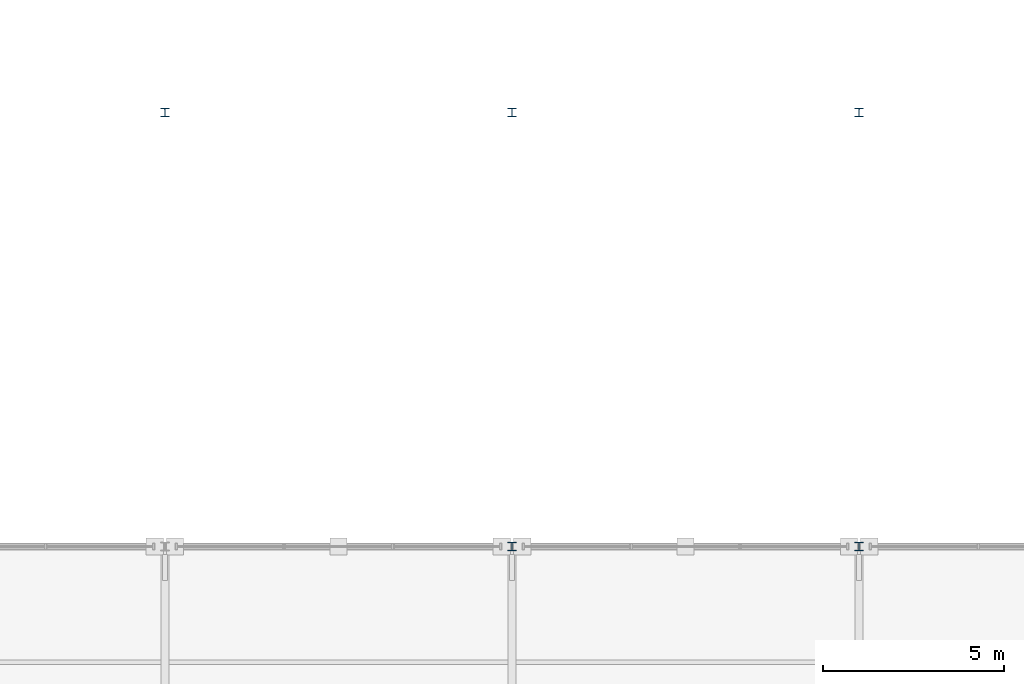
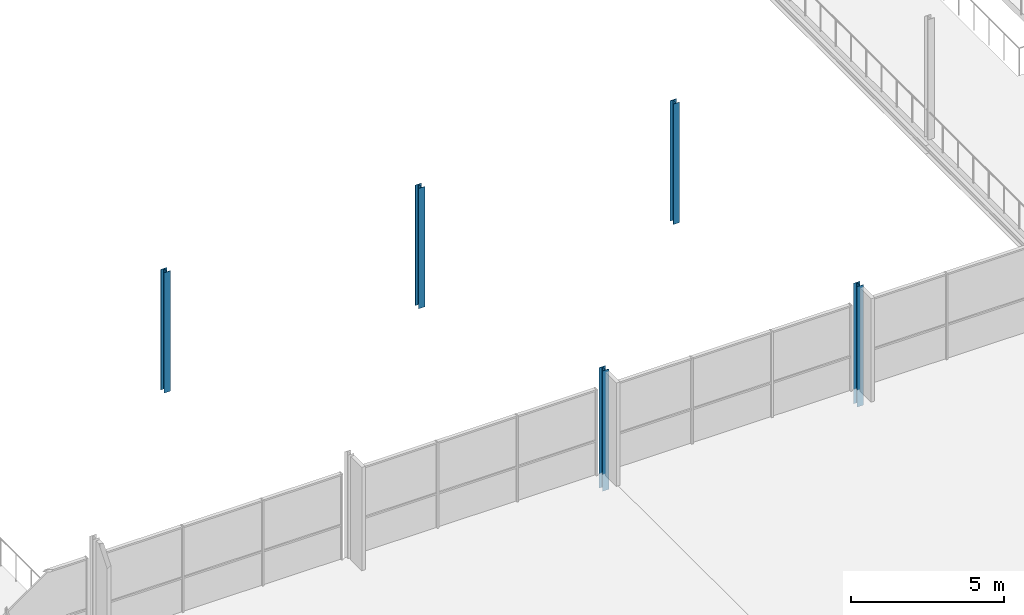
# One storey, part 2 of 159: 5 columns.
"""IFC4 building model written with IfcOpenShell, lengths in metres."""

from ifc_helpers import new_model, si_unit, direction, frame, origin, origin_2d, place, context, subcontext, project, spatial, i_section, extrude, material, material_profile, profile_set, type_object, element, save


model = new_model("IFC4")

# Units and contexts
model_context = context("Model", 3, precision=1e-05, world=origin(), true_north=direction((0.0, 1.0)))
body_context = subcontext(model_context, "Body", "Model", "MODEL_VIEW")
ifc_project = project(units=[si_unit("LENGTHUNIT", "METRE"), si_unit("AREAUNIT", "SQUARE_METRE"), si_unit("VOLUMEUNIT", "CUBIC_METRE"), si_unit("PLANEANGLEUNIT", "RADIAN"), si_unit("MASSUNIT", "GRAM", prefix="KILO")], contexts=[model_context])

# Site, building, storey
site_placement = place(None, origin())
site = spatial("IfcSite", under=ifc_project, at=site_placement, CompositionType="ELEMENT")
building_placement = place(site_placement, origin())
building = spatial("IfcBuilding", under=site, at=building_placement, Name="Merenkruunu Market Hall", CompositionType="ELEMENT")
storey_placement = place(building_placement, frame((0.0, 0.0, 5.39990234375)))
storey = spatial("IfcBuildingStorey", under=building, at=storey_placement, Name="L01", CompositionType="ELEMENT", Elevation=5.39990234375)

# Columns
ifc_material = material(Name="Steel S355J2", Category="steel")
ifc_material_profile = material_profile(ifc_material, i_section(OverallWidth=0.239990234375, OverallDepth=0.22998046875, WebThickness=0.007568359375, FlangeThickness=0.011962890625, FilletRadius=0.02099609375, at=origin_2d()), Name="HEA 240")
ifc_profile_set = profile_set([ifc_material_profile], Name="Steel S355J2")
column_type = type_object("IfcColumnType", Name="Structural Column C10", PredefinedType="COLUMN", material=ifc_profile_set)
for number, where, z_axis, x_axis, name in (
    (1, (19.199951171875, 27.60009765625, 0.0), (0.0, 0.0, 1.0), (1.0, 0.0, 0.0), "COL-L01-C-04"),
    (2, (28.800048828125, 15.60009765625, 0.0), (0.0, 0.0, 1.0), (1.0, 0.0, 0.0), "COL-L01-D-03"),
    (3, (28.800048828125, 27.60009765625, 0.0), (0.0, 0.0, 1.0), (1.0, 0.0, 0.0), "COL-L01-D-04"),
    (4, (38.39990234375, 15.60009765625, 0.0), (0.0, 0.0, 1.0), (1.0, 0.0, 0.0), "COL-L01-E-03"),
    (5, (38.39990234375, 27.60009765625, 0.0), (0.0, 0.0, 1.0), (1.0, 0.0, 0.0), "COL-L01-E-04"),
):
    element("IfcColumn", number, at=place(storey_placement, frame(where, z_axis=z_axis, x_axis=x_axis)), inside=storey, type_object=column_type, Name=name, PredefinedType="COLUMN", context=body_context, shape_type="SweptSolid", body=[
        extrude(i_section(OverallWidth=0.239990234375, OverallDepth=0.22998046875, WebThickness=0.007568359375, FlangeThickness=0.011962890625, FilletRadius=0.02099609375, at=origin_2d()), origin(), (0.0, 0.0, 1.0), 4.800048828125),
    ])

save(model, "model.ifc")
